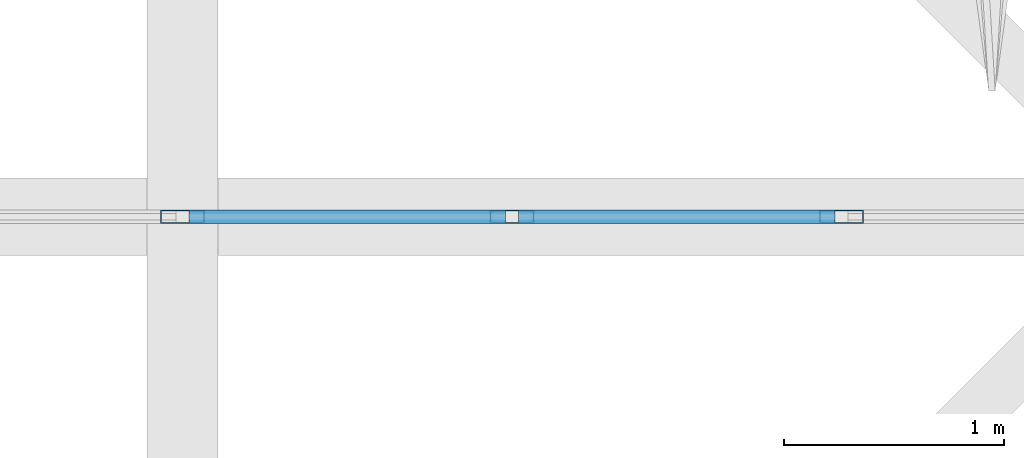
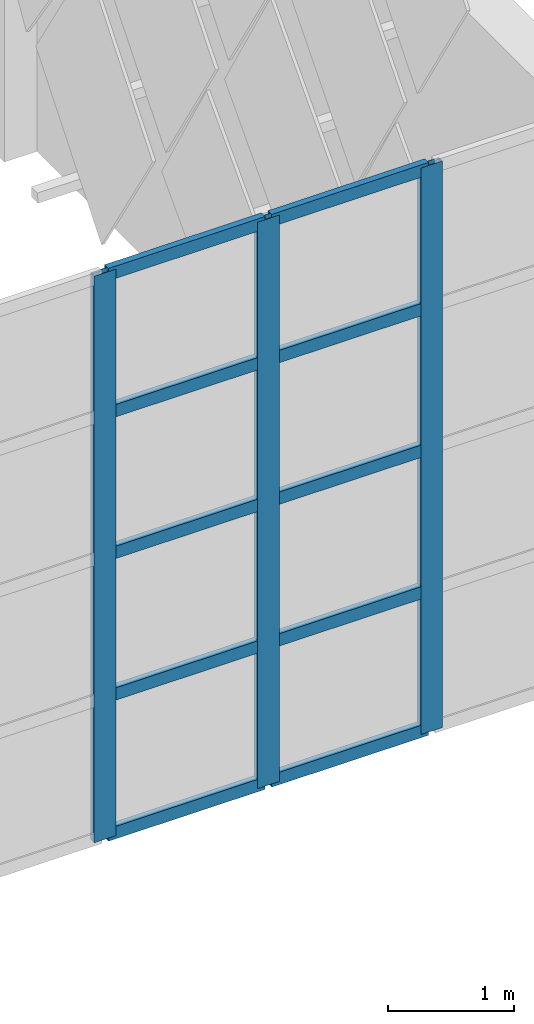
# One storey, part 188 of 437: 13 members, 1 element without a shape of its own.
"""IFC4 building model written with IfcOpenShell, lengths in metres."""

from ifc_helpers import new_model, si_unit, direction, frame, origin, origin_2d, place, context, subcontext, project, spatial, hollow_rectangle, extrude, material, layer, layer_set, material_profile, profile_set, type_object, element, aggregate, save


model = new_model("IFC4")

# Units and contexts
model_context = context("Model", 3, precision=1e-05, world=origin(), true_north=direction((0.0, 1.0)))
body_context = subcontext(model_context, "Body", "Model", "MODEL_VIEW")
ifc_project = project(units=[si_unit("LENGTHUNIT", "METRE"), si_unit("AREAUNIT", "SQUARE_METRE"), si_unit("VOLUMEUNIT", "CUBIC_METRE"), si_unit("PLANEANGLEUNIT", "RADIAN"), si_unit("MASSUNIT", "GRAM", prefix="KILO")], contexts=[model_context])

# Site, building, storey
site_placement = place(None, origin())
site = spatial("IfcSite", under=ifc_project, at=site_placement, CompositionType="ELEMENT")
building_placement = place(site_placement, origin())
building = spatial("IfcBuilding", under=site, at=building_placement, Name="Opaline Strait Convention Centre", CompositionType="ELEMENT")
storey_placement = place(building_placement, frame((0.0, 0.0, 11.5)))
storey = spatial("IfcBuildingStorey", under=building, at=storey_placement, Name="L02", CompositionType="ELEMENT", Elevation=11.5)

# Curtain wall, members
ifc_material_1 = material(Name="Aluminium framed glazing", Category="aluminium")
ifc_layer = layer(ifc_material_1, 0.199951171875)
ifc_layer_set = layer_set([ifc_layer], Name="Aluminium framed glazing")
curtain_wall_type = type_object("IfcCurtainWallType", Name="Entrance curtain wall 1500", PredefinedType="NOTDEFINED", material=ifc_layer_set)
curtain_wall_placement = place(storey_placement, origin())
curtain_wall = element("IfcCurtainWall", 1, at=curtain_wall_placement, inside=storey, type_object=curtain_wall_type, Name="Entrance curtain wall L02-R3", PredefinedType="NOTDEFINED")
ifc_material_2 = material(Name="Aluminium alloy 6063", Category="aluminium")
ifc_material_profile_1 = material_profile(ifc_material_2, hollow_rectangle(XDim=0.06005859375, YDim=0.199951171875, WallThickness=0.00390625, at=origin_2d()), Name="MULLION 60x200x4")
ifc_profile_set_1 = profile_set([ifc_material_profile_1], Name="Aluminium alloy 6063")
member_type_1 = type_object("IfcMemberType", Name="Curtain wall mullion 60 x 200", PredefinedType="MULLION", material=ifc_profile_set_1)
member_1_placement = place(storey_placement, frame((202.5, 144.0, 0.0), z_axis=(0.0, 0.0, 1.0), x_axis=(0.0, 1.0, 0.0)))
member_1 = element("IfcMember", 2, at=member_1_placement, type_object=member_type_1, Name="XCW mullion 10", PredefinedType="MULLION", context=body_context, shape_type="SweptSolid", body=[
    extrude(hollow_rectangle(XDim=0.06005859375, YDim=0.199951171875, WallThickness=0.00390625, at=origin_2d()), origin(), (0.0, 0.0, 1.0), 5.5),
])
member_2_placement = place(storey_placement, frame((204.0, 144.0, 0.0), z_axis=(0.0, 0.0, 1.0), x_axis=(0.0, 1.0, 0.0)))
member_2 = element("IfcMember", 3, at=member_2_placement, type_object=member_type_1, Name="XCW mullion 11", PredefinedType="MULLION", context=body_context, shape_type="SweptSolid", body=[
    extrude(hollow_rectangle(XDim=0.06005859375, YDim=0.199951171875, WallThickness=0.00390625, at=origin_2d()), origin(), (0.0, 0.0, 1.0), 5.5),
])
member_3_placement = place(storey_placement, frame((205.5, 144.0, 0.0), z_axis=(0.0, 0.0, 1.0), x_axis=(0.0, 1.0, 0.0)))
member_3 = element("IfcMember", 4, at=member_3_placement, type_object=member_type_1, Name="XCW mullion 12", PredefinedType="MULLION", context=body_context, shape_type="SweptSolid", body=[
    extrude(hollow_rectangle(XDim=0.06005859375, YDim=0.199951171875, WallThickness=0.00390625, at=origin_2d()), origin(), (0.0, 0.0, 1.0), 5.5),
])
ifc_material_profile_2 = material_profile(ifc_material_2, hollow_rectangle(XDim=0.06005859375, YDim=0.1201171875, WallThickness=0.0029296875, at=origin_2d()), Name="TRANSOM 60x120x3")
ifc_profile_set_2 = profile_set([ifc_material_profile_2], Name="Aluminium alloy 6063")
member_type_2 = type_object("IfcMemberType", Name="Curtain wall transom 60 x 120", PredefinedType="USERDEFINED", material=ifc_profile_set_2)
member_4_placement = place(storey_placement, frame((202.530029296875, 144.0, 0.030029296875), z_axis=(1.0, 0.0, 0.0), x_axis=(0.0, 1.0, 0.0)))
member_4 = element("IfcMember", 5, at=member_4_placement, type_object=member_type_2, Name="XCW transom 10.1", ObjectType="TRANSOM", PredefinedType="USERDEFINED", context=body_context, shape_type="SweptSolid", body=[
    extrude(hollow_rectangle(XDim=0.06005859375, YDim=0.1201171875, WallThickness=0.0029296875, at=origin_2d()), origin(), (0.0, 0.0, 1.0), 1.43994140625),
])
member_5_placement = place(storey_placement, frame((202.530029296875, 144.0, 1.375), z_axis=(1.0, 0.0, 0.0), x_axis=(0.0, 1.0, 0.0)))
member_5 = element("IfcMember", 6, at=member_5_placement, type_object=member_type_2, Name="XCW transom 10.2", ObjectType="TRANSOM", PredefinedType="USERDEFINED", context=body_context, shape_type="SweptSolid", body=[
    extrude(hollow_rectangle(XDim=0.06005859375, YDim=0.1201171875, WallThickness=0.0029296875, at=origin_2d()), origin(), (0.0, 0.0, 1.0), 1.43994140625),
])
member_6_placement = place(storey_placement, frame((202.530029296875, 144.0, 2.75), z_axis=(1.0, 0.0, 0.0), x_axis=(0.0, 1.0, 0.0)))
member_6 = element("IfcMember", 7, at=member_6_placement, type_object=member_type_2, Name="XCW transom 10.3", ObjectType="TRANSOM", PredefinedType="USERDEFINED", context=body_context, shape_type="SweptSolid", body=[
    extrude(hollow_rectangle(XDim=0.06005859375, YDim=0.1201171875, WallThickness=0.0029296875, at=origin_2d()), origin(), (0.0, 0.0, 1.0), 1.43994140625),
])
member_7_placement = place(storey_placement, frame((202.530029296875, 144.0, 4.125), z_axis=(1.0, 0.0, 0.0), x_axis=(0.0, 1.0, 0.0)))
member_7 = element("IfcMember", 8, at=member_7_placement, type_object=member_type_2, Name="XCW transom 10.4", ObjectType="TRANSOM", PredefinedType="USERDEFINED", context=body_context, shape_type="SweptSolid", body=[
    extrude(hollow_rectangle(XDim=0.06005859375, YDim=0.1201171875, WallThickness=0.0029296875, at=origin_2d()), origin(), (0.0, 0.0, 1.0), 1.43994140625),
])
member_8_placement = place(storey_placement, frame((202.530029296875, 144.0, 5.469970703125), z_axis=(1.0, 0.0, 0.0), x_axis=(0.0, 1.0, 0.0)))
member_8 = element("IfcMember", 9, at=member_8_placement, type_object=member_type_2, Name="XCW transom 10.5", ObjectType="TRANSOM", PredefinedType="USERDEFINED", context=body_context, shape_type="SweptSolid", body=[
    extrude(hollow_rectangle(XDim=0.06005859375, YDim=0.1201171875, WallThickness=0.0029296875, at=origin_2d()), origin(), (0.0, 0.0, 1.0), 1.43994140625),
])
member_9_placement = place(storey_placement, frame((204.030029296875, 144.0, 0.030029296875), z_axis=(1.0, 0.0, 0.0), x_axis=(0.0, 1.0, 0.0)))
member_9 = element("IfcMember", 10, at=member_9_placement, type_object=member_type_2, Name="XCW transom 11.1", ObjectType="TRANSOM", PredefinedType="USERDEFINED", context=body_context, shape_type="SweptSolid", body=[
    extrude(hollow_rectangle(XDim=0.06005859375, YDim=0.1201171875, WallThickness=0.0029296875, at=origin_2d()), origin(), (0.0, 0.0, 1.0), 1.43994140625),
])
member_10_placement = place(storey_placement, frame((204.030029296875, 144.0, 1.375), z_axis=(1.0, 0.0, 0.0), x_axis=(0.0, 1.0, 0.0)))
member_10 = element("IfcMember", 11, at=member_10_placement, type_object=member_type_2, Name="XCW transom 11.2", ObjectType="TRANSOM", PredefinedType="USERDEFINED", context=body_context, shape_type="SweptSolid", body=[
    extrude(hollow_rectangle(XDim=0.06005859375, YDim=0.1201171875, WallThickness=0.0029296875, at=origin_2d()), origin(), (0.0, 0.0, 1.0), 1.43994140625),
])
member_11_placement = place(storey_placement, frame((204.030029296875, 144.0, 2.75), z_axis=(1.0, 0.0, 0.0), x_axis=(0.0, 1.0, 0.0)))
member_11 = element("IfcMember", 12, at=member_11_placement, type_object=member_type_2, Name="XCW transom 11.3", ObjectType="TRANSOM", PredefinedType="USERDEFINED", context=body_context, shape_type="SweptSolid", body=[
    extrude(hollow_rectangle(XDim=0.06005859375, YDim=0.1201171875, WallThickness=0.0029296875, at=origin_2d()), origin(), (0.0, 0.0, 1.0), 1.43994140625),
])
member_12_placement = place(storey_placement, frame((204.030029296875, 144.0, 4.125), z_axis=(1.0, 0.0, 0.0), x_axis=(0.0, 1.0, 0.0)))
member_12 = element("IfcMember", 13, at=member_12_placement, type_object=member_type_2, Name="XCW transom 11.4", ObjectType="TRANSOM", PredefinedType="USERDEFINED", context=body_context, shape_type="SweptSolid", body=[
    extrude(hollow_rectangle(XDim=0.06005859375, YDim=0.1201171875, WallThickness=0.0029296875, at=origin_2d()), origin(), (0.0, 0.0, 1.0), 1.43994140625),
])
member_13_placement = place(storey_placement, frame((204.030029296875, 144.0, 5.469970703125), z_axis=(1.0, 0.0, 0.0), x_axis=(0.0, 1.0, 0.0)))
member_13 = element("IfcMember", 14, at=member_13_placement, type_object=member_type_2, Name="XCW transom 11.5", ObjectType="TRANSOM", PredefinedType="USERDEFINED", context=body_context, shape_type="SweptSolid", body=[
    extrude(hollow_rectangle(XDim=0.06005859375, YDim=0.1201171875, WallThickness=0.0029296875, at=origin_2d()), origin(), (0.0, 0.0, 1.0), 1.43994140625),
])
aggregate(curtain_wall, [member_1, member_2, member_3, member_4, member_5, member_6, member_7, member_8, member_9, member_10, member_11, member_12, member_13])

save(model, "model.ifc")
